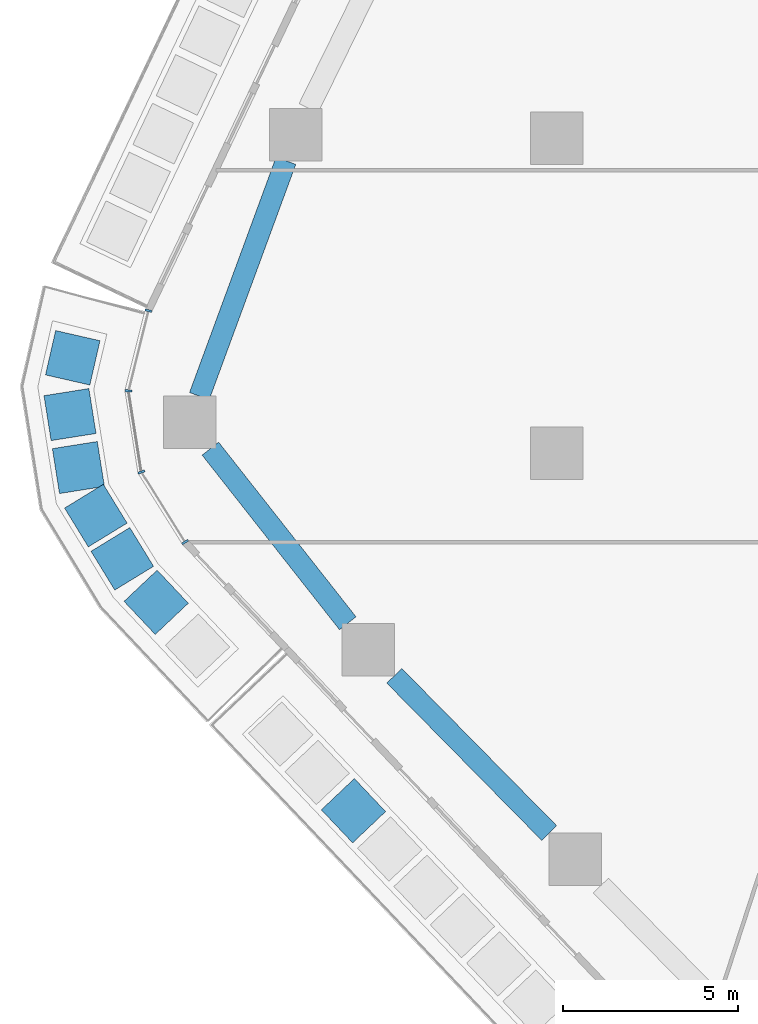
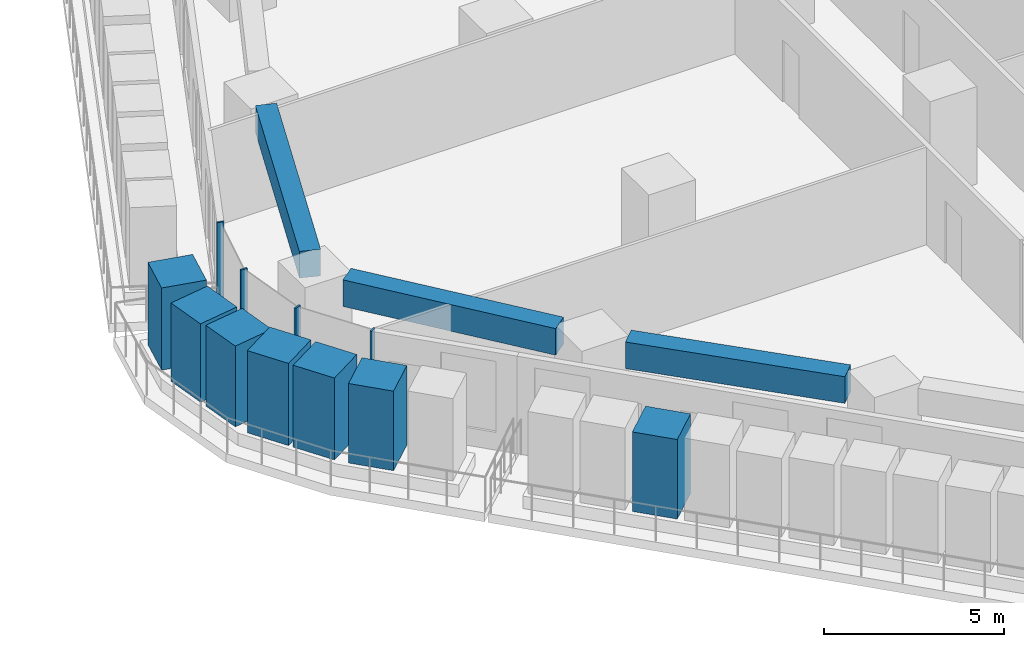
# One storey, part 3 of 24: 11 members, 3 beams, 1 element without a shape of its own.
"""IFC4 building model written with IfcOpenShell, lengths in metres."""

from ifc_helpers import new_model, si_unit, direction, frame, origin, origin_2d, place, context, subcontext, project, spatial, rectangle, extrude, material, layer, layer_set, material_profile, profile_set, type_object, element, aggregate, save


model = new_model("IFC4")

# Units and contexts
model_context = context("Model", 3, precision=1e-05, world=origin(), true_north=direction((0.0, 1.0)))
body_context = subcontext(model_context, "Body", "Model", "MODEL_VIEW")
ifc_project = project(units=[si_unit("LENGTHUNIT", "METRE"), si_unit("AREAUNIT", "SQUARE_METRE"), si_unit("VOLUMEUNIT", "CUBIC_METRE"), si_unit("PLANEANGLEUNIT", "RADIAN"), si_unit("MASSUNIT", "GRAM", prefix="KILO")], contexts=[model_context])

# Site, building, storey
site_placement = place(None, origin())
site = spatial("IfcSite", under=ifc_project, at=site_placement, CompositionType="ELEMENT")
building_placement = place(site_placement, origin())
building = spatial("IfcBuilding", under=site, at=building_placement, Name="Dongbaek Canopy Tower", CompositionType="ELEMENT")
storey_placement = place(building_placement, frame((0.0, 0.0, 47.699951171875)))
storey = spatial("IfcBuildingStorey", under=building, at=storey_placement, Name="L07", CompositionType="ELEMENT", Elevation=47.699951171875)

# Curtain wall, members
ifc_material_1 = material(Name="Aluminium 6063-T6 pale anodised", Category="aluminium")
ifc_layer = layer(ifc_material_1, 0.199951171875)
ifc_layer_set = layer_set([ifc_layer], Name="CW-1 unitised tower curtain wall")
curtain_wall_type = type_object("IfcCurtainWallType", Name="CW-1 unitised tower curtain wall", PredefinedType="NOTDEFINED", material=ifc_layer_set)
curtain_wall_placement = place(storey_placement, origin())
curtain_wall = element("IfcCurtainWall", 1, at=curtain_wall_placement, inside=storey, type_object=curtain_wall_type, Name="CW-1 curtain wall K3.1", PredefinedType="NOTDEFINED")
ifc_material_2 = material(Name="Aluminium 6063-T6 pale anodised", Category="aluminium")
ifc_material_profile_1 = material_profile(ifc_material_2, rectangle(XDim=0.199951171875, YDim=0.06005859375, at=origin_2d()), Name="CW-1 mullion 60 x 200")
ifc_profile_set_1 = profile_set([ifc_material_profile_1], Name="Aluminium 6063-T6 pale anodised")
member_type_1 = type_object("IfcMemberType", Name="CW-1 mullion 60 x 200", PredefinedType="MULLION", material=ifc_profile_set_1)
member_1_placement = place(storey_placement, frame((-38.669677734375, -4.930908203125, 0.0), z_axis=(0.0, 0.0, 1.0), x_axis=(-0.970441779727, 0.241335352072, 0.0)))
member_1 = element("IfcMember", 2, at=member_1_placement, type_object=member_type_1, Name="CW-1 mullion K3.1.1", PredefinedType="MULLION", context=body_context, shape_type="SweptSolid", body=[
    extrude(rectangle(XDim=0.199951171875, YDim=0.06005859375, at=origin_2d()), origin(), (0.0, 0.0, 1.0), 3.300048828125),
])
member_2_placement = place(storey_placement, frame((-39.2392578125, -7.220947265625, 0.0), z_axis=(0.0, 0.0, 1.0), x_axis=(-0.999066033636, 0.043209494732, 0.0)))
member_2 = element("IfcMember", 3, at=member_2_placement, type_object=member_type_1, Name="CW-1 mullion K3.1.2", PredefinedType="MULLION", context=body_context, shape_type="SweptSolid", body=[
    extrude(rectangle(XDim=0.199951171875, YDim=0.06005859375, at=origin_2d()), origin(), (0.0, 0.0, 1.0), 3.300048828125),
])
member_3_placement = place(storey_placement, frame((-38.87109375, -9.54150390625, 0.0), z_axis=(0.0, 0.0, 1.0), x_axis=(-0.936664509002, -0.350227922324, 0.0)))
member_3 = element("IfcMember", 4, at=member_3_placement, type_object=member_type_1, Name="CW-1 mullion K3.1.3", PredefinedType="MULLION", context=body_context, shape_type="SweptSolid", body=[
    extrude(rectangle(XDim=0.199951171875, YDim=0.06005859375, at=origin_2d()), origin(), (0.0, 0.0, 1.0), 3.300048828125),
])
member_4_placement = place(storey_placement, frame((-37.62109375, -11.54296875, 0.0), z_axis=(0.0, 0.0, 1.0), x_axis=(-0.848139359431, -0.52977318447, 0.0)))
member_4 = element("IfcMember", 5, at=member_4_placement, type_object=member_type_1, Name="CW-1 mullion K3.1.4", PredefinedType="MULLION", context=body_context, shape_type="SweptSolid", body=[
    extrude(rectangle(XDim=0.199951171875, YDim=0.06005859375, at=origin_2d()), origin(), (0.0, 0.0, 1.0), 3.300048828125),
])
aggregate(curtain_wall, [member_1, member_2, member_3, member_4])

# Beams
ifc_material_3 = material(Name="Concrete C80", Category="concrete")
ifc_material_profile_2 = material_profile(ifc_material_3, rectangle(XDim=0.60009765625, YDim=0.89990234375, at=origin_2d()), Name="RC EDGE BEAM 600x900 C80")
ifc_profile_set_2 = profile_set([ifc_material_profile_2], Name="Concrete C80")
beam_type = type_object("IfcBeamType", Name="RC EDGE BEAM 600x900 C80", PredefinedType="BEAM", material=ifc_profile_set_2)
beam_1_placement = place(storey_placement, frame((-27.216552734375, -19.85791015625, 2.85009765625), z_axis=(-0.701687682569, 0.712484663787, 0.0), x_axis=(-0.712484663787, -0.701687682569, 0.0)))
element("IfcBeam", 6, at=beam_1_placement, inside=storey, type_object=beam_type, Name="EDGEBEAM:L07:06", PredefinedType="BEAM", context=body_context, shape_type="SweptSolid", body=[
    extrude(rectangle(XDim=0.60009765625, YDim=0.89990234375, at=origin_2d()), origin(), (0.0, 0.0, 1.0), 6.308837890625),
])
beam_2_placement = place(storey_placement, frame((-32.97216796875, -13.863037109375, 2.85009765625), z_axis=(-0.618386857787, 0.785873841094, 0.0), x_axis=(-0.785873841094, -0.618386857787, 0.0)))
element("IfcBeam", 7, at=beam_2_placement, inside=storey, type_object=beam_type, Name="EDGEBEAM:L07:07", PredefinedType="BEAM", context=body_context, shape_type="SweptSolid", body=[
    extrude(rectangle(XDim=0.60009765625, YDim=0.89990234375, at=origin_2d()), origin(), (0.0, 0.0, 1.0), 6.349609375),
])
beam_3_placement = place(storey_placement, frame((-37.213134765625, -7.373046875, 2.85009765625), z_axis=(0.345225397682, 0.938519805223, 0.0), x_axis=(-0.938519805223, 0.345225397682, 0.0)))
element("IfcBeam", 8, at=beam_3_placement, inside=storey, type_object=beam_type, Name="EDGEBEAM:L07:08", PredefinedType="BEAM", context=body_context, shape_type="SweptSolid", body=[
    extrude(rectangle(XDim=0.60009765625, YDim=0.89990234375, at=origin_2d()), origin(), (0.0, 0.0, 1.0), 7.166748046875),
])

# Members
ifc_material_4 = material(Name="Concrete C40/50 planter mass with planting", Category="concrete")
ifc_material_profile_3 = material_profile(ifc_material_4, rectangle(XDim=1.300048828125, YDim=1.300048828125, at=origin_2d()), Name="Terrace PLANTER shrub mass 1300 x 1300")
ifc_profile_set_3 = profile_set([ifc_material_profile_3], Name="Concrete C40/50 planter mass with planting")
member_type_2 = type_object("IfcMemberType", Name="Terrace PLANTER shrub mass 1300 x 1300", PredefinedType="USERDEFINED", material=ifc_profile_set_3)
member_5_placement = place(storey_placement, frame((-32.80908203125, -19.21875, 0.420166015625), z_axis=(0.0, 0.0, 1.0), x_axis=(-0.725626548924, -0.688088738098, 0.0)))
element("IfcMember", 9, at=member_5_placement, inside=storey, type_object=member_type_2, Name="Planter shrubs L07 3.3", ObjectType="PLANTER", PredefinedType="USERDEFINED", context=body_context, shape_type="SweptSolid", body=[
    extrude(rectangle(XDim=1.300048828125, YDim=1.300048828125, at=origin_2d()), origin(), (0.0, 0.0, 1.0), 2.68994140625),
])
member_6_placement = place(storey_placement, frame((-40.83154296875, -6.27734375, 0.420166015625), z_axis=(0.0, 0.0, 1.0), x_axis=(-0.97486421454, 0.222799827668, 0.0)))
element("IfcMember", 10, at=member_6_placement, inside=storey, type_object=member_type_2, Name="Planter shrubs L07 6.1", ObjectType="PLANTER", PredefinedType="USERDEFINED", context=body_context, shape_type="SweptSolid", body=[
    extrude(rectangle(XDim=1.300048828125, YDim=1.300048828125, at=origin_2d()), origin(), (0.0, 0.0, 1.0), 2.77978515625),
])
member_7_placement = place(storey_placement, frame((-40.90966796875, -7.89990234375, 0.420166015625), z_axis=(0.0, 0.0, 1.0), x_axis=(-0.98765451131, -0.156647905474, 0.0)))
element("IfcMember", 11, at=member_7_placement, inside=storey, type_object=member_type_2, Name="Planter shrubs L07 6.2", ObjectType="PLANTER", PredefinedType="USERDEFINED", context=body_context, shape_type="SweptSolid", body=[
    extrude(rectangle(XDim=1.300048828125, YDim=1.300048828125, at=origin_2d()), origin(), (0.0, 0.0, 1.0), 2.64990234375),
])
member_8_placement = place(storey_placement, frame((-40.669677734375, -9.412841796875, 0.420166015625), z_axis=(0.0, 0.0, 1.0), x_axis=(-0.98765451131, -0.156647905474, 0.0)))
element("IfcMember", 12, at=member_8_placement, inside=storey, type_object=member_type_2, Name="Planter shrubs L07 6.3", ObjectType="PLANTER", PredefinedType="USERDEFINED", context=body_context, shape_type="SweptSolid", body=[
    extrude(rectangle(XDim=1.300048828125, YDim=1.300048828125, at=origin_2d()), origin(), (0.0, 0.0, 1.0), 2.72998046875),
])
member_9_placement = place(storey_placement, frame((-40.171630859375, -10.786376953125, 0.420166015625), z_axis=(0.0, 0.0, 1.0), x_axis=(-0.852748721885, -0.522321373604, 0.0)))
element("IfcMember", 13, at=member_9_placement, inside=storey, type_object=member_type_2, Name="Planter shrubs L07 6.4", ObjectType="PLANTER", PredefinedType="USERDEFINED", context=body_context, shape_type="SweptSolid", body=[
    extrude(rectangle(XDim=1.300048828125, YDim=1.300048828125, at=origin_2d()), origin(), (0.0, 0.0, 1.0), 2.77978515625),
])
member_10_placement = place(storey_placement, frame((-39.415283203125, -12.021240234375, 0.420166015625), z_axis=(0.0, 0.0, 1.0), x_axis=(-0.852748721885, -0.522321373604, 0.0)))
element("IfcMember", 14, at=member_10_placement, inside=storey, type_object=member_type_2, Name="Planter shrubs L07 6.5", ObjectType="PLANTER", PredefinedType="USERDEFINED", context=body_context, shape_type="SweptSolid", body=[
    extrude(rectangle(XDim=1.300048828125, YDim=1.300048828125, at=origin_2d()), origin(), (0.0, 0.0, 1.0), 2.769775390625),
])
member_11_placement = place(storey_placement, frame((-38.44677734375, -13.26416015625, 0.420166015625), z_axis=(0.0, 0.0, 1.0), x_axis=(-0.727322068282, -0.686296298248, 0.0)))
element("IfcMember", 15, at=member_11_placement, inside=storey, type_object=member_type_2, Name="Planter shrubs L07 6.6", ObjectType="PLANTER", PredefinedType="USERDEFINED", context=body_context, shape_type="SweptSolid", body=[
    extrude(rectangle(XDim=1.300048828125, YDim=1.300048828125, at=origin_2d()), origin(), (0.0, 0.0, 1.0), 2.68994140625),
])

save(model, "model.ifc")
